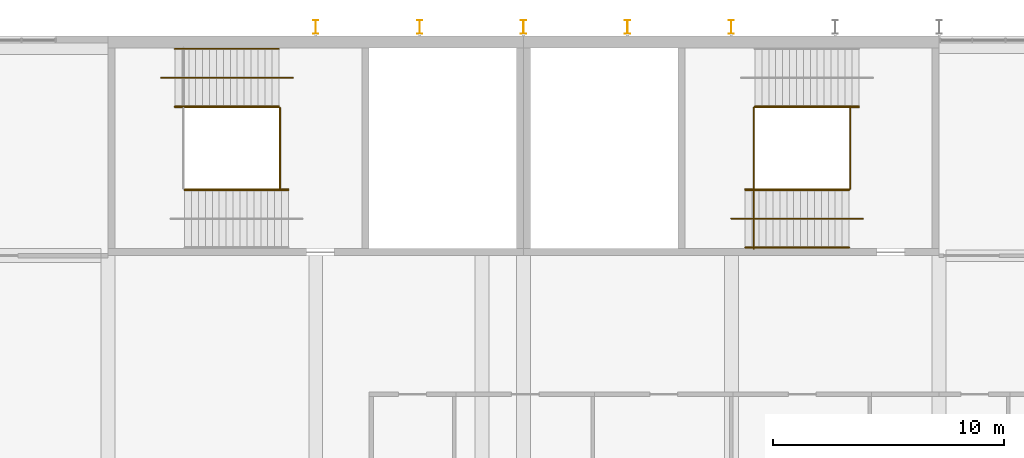
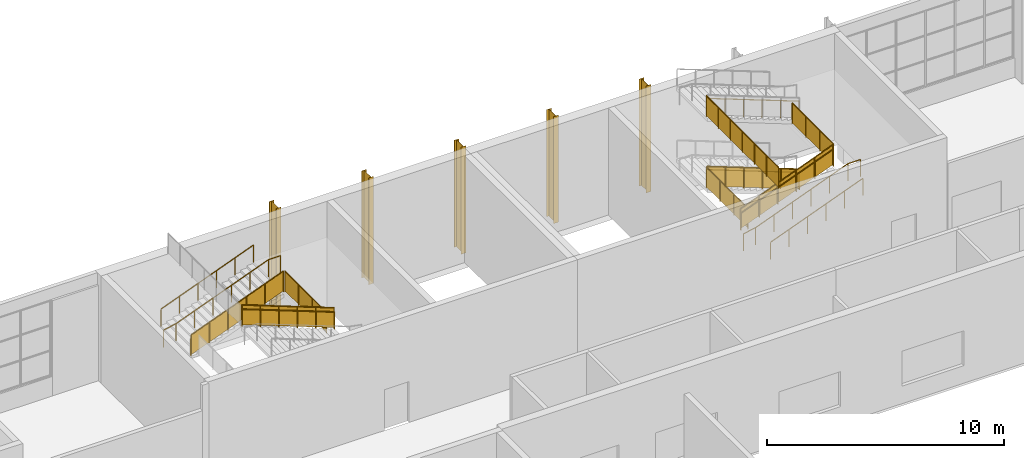
# One storey, part 73 of 84: 17 railings, 5 shading devices.
"""IFC4 building model written with IfcOpenShell, lengths in metres."""

from ifc_helpers import new_model, si_unit, direction, frame, origin, origin_2d, place, context, subcontext, project, spatial, polyline, circle, i_section, outline, extrude, material, material_profile, profile_set, type_object, element, save


model = new_model("IFC4")

# Units and contexts
model_context = context("Model", 3, precision=1e-05, world=origin(), true_north=direction((0.0, 1.0)))
body_context = subcontext(model_context, "Body", "Model", "MODEL_VIEW")
ifc_project = project(units=[si_unit("LENGTHUNIT", "METRE"), si_unit("AREAUNIT", "SQUARE_METRE"), si_unit("VOLUMEUNIT", "CUBIC_METRE"), si_unit("PLANEANGLEUNIT", "RADIAN"), si_unit("MASSUNIT", "GRAM", prefix="KILO")], contexts=[model_context])

# Site, building, storey
site_placement = place(None, origin())
site = spatial("IfcSite", under=ifc_project, at=site_placement, CompositionType="ELEMENT")
building_placement = place(site_placement, origin())
building = spatial("IfcBuilding", under=site, at=building_placement, Name="Silverbay Arena", CompositionType="ELEMENT")
storey_placement = place(building_placement, frame((0.0, 0.0, 28.0)))
storey = spatial("IfcBuildingStorey", under=building, at=storey_placement, Name="L04", CompositionType="ELEMENT", Elevation=28.0)

# Railings
ifc_material_1 = material(Name="Stainless steel", Category="steel")
railing_type_1 = type_object("IfcRailingType", Name="Stair guard 1100", PredefinedType="GUARDRAIL", material=ifc_material_1)
railing_1_placement = place(storey_placement, frame((83.89990234375, 141.425048828125, 1.947998046875)))
element("IfcRailing", 1, at=railing_1_placement, inside=storey, type_object=railing_type_1, Name="Stair ST-N1 L04 to L05 flight 2 guard left", PredefinedType="GUARDRAIL", context=body_context, shape_type="SweptSolid", body=[
    extrude(circle(Radius=0.02392578125, at=origin_2d()), frame((0.0, 0.0, 1.076171875), z_axis=(0.93417907455, 0.0, 0.356804507641), x_axis=(0.0, 1.0, 0.0)), (0.0, 0.0, 1.0), 4.817138671875),
    extrude(outline(polyline([(-0.008056640625, 0.046875), (0.907958984375, 0.396728515625), (0.907958984375, 1.39990234375), (-0.008056640625, 1.050048828125), (-0.008056640625, 0.046875)])), frame((0.0, 0.0029296875, 0.0), z_axis=(0.0, -1.0, 0.0), x_axis=(1.0, 0.0, 0.0)), (0.0, 0.0, 1.0), 0.006103515625),
    extrude(outline(polyline([(-0.008056640625, 0.390625), (0.907958984375, 0.740478515625), (0.907958984375, 1.74365234375), (-0.008056640625, 1.393798828125), (-0.008056640625, 0.390625)])), frame((0.89990234375, 0.0029296875, 0.0), z_axis=(0.0, -1.0, 0.0), x_axis=(1.0, 0.0, 0.0)), (0.0, 0.0, 1.0), 0.006103515625),
    extrude(outline(polyline([(-0.008056640625, 0.734375), (0.907958984375, 1.084228515625), (0.907958984375, 2.08740234375), (-0.008056640625, 1.737548828125), (-0.008056640625, 0.734375)])), frame((1.800048828125, 0.0029296875, 0.0), z_axis=(0.0, -1.0, 0.0), x_axis=(1.0, 0.0, 0.0)), (0.0, 0.0, 1.0), 0.006103515625),
    extrude(outline(polyline([(-0.008056640625, 1.078125), (0.907958984375, 1.427978515625), (0.907958984375, 2.43115234375), (-0.008056640625, 2.081298828125), (-0.008056640625, 1.078125)])), frame((2.699951171875, 0.0029296875, 0.0), z_axis=(0.0, -1.0, 0.0), x_axis=(1.0, 0.0, 0.0)), (0.0, 0.0, 1.0), 0.006103515625),
    extrude(outline(polyline([(-0.008056640625, 1.421875), (0.907958984375, 1.771728515625), (0.907958984375, 2.77490234375), (-0.008056640625, 2.425048828125), (-0.008056640625, 1.421875)])), frame((3.60009765625, 0.0029296875, 0.0), z_axis=(0.0, -1.0, 0.0), x_axis=(1.0, 0.0, 0.0)), (0.0, 0.0, 1.0), 0.006103515625),
    extrude(circle(Radius=0.02099609375, at=origin_2d()), origin(), (0.0, 0.0, 1.0), 1.052001953125),
    extrude(circle(Radius=0.02099609375, at=origin_2d()), frame((0.89990234375, 0.0, 0.34375)), (0.0, 0.0, 1.0), 1.052001953125),
    extrude(circle(Radius=0.02099609375, at=origin_2d()), frame((1.800048828125, 0.0, 0.6875)), (0.0, 0.0, 1.0), 1.052001953125),
    extrude(circle(Radius=0.02099609375, at=origin_2d()), frame((2.699951171875, 0.0, 1.03125)), (0.0, 0.0, 1.0), 1.052001953125),
    extrude(circle(Radius=0.02099609375, at=origin_2d()), frame((3.60009765625, 0.0, 1.375)), (0.0, 0.0, 1.0), 1.052001953125),
    extrude(circle(Radius=0.02099609375, at=origin_2d()), frame((4.5, 0.0, 1.71875)), (0.0, 0.0, 1.0), 1.052001953125),
])
railing_2_placement = place(storey_placement, frame((88.8203125, 137.875, 3.78125)))
element("IfcRailing", 2, at=railing_2_placement, inside=storey, type_object=railing_type_1, Name="Stair ST-N1 L04 to L05 flight 3 guard right", PredefinedType="GUARDRAIL", context=body_context, shape_type="SweptSolid", body=[
    extrude(circle(Radius=0.02392578125, at=origin_2d()), frame((0.0, 0.0, 1.076171875), z_axis=(-0.93417907455, 0.0, 0.356804507641), x_axis=(0.0, -1.0, 0.0)), (0.0, 0.0, 1.0), 4.817138671875),
    extrude(outline(polyline([(-0.008056640625, 0.046875), (0.907958984375, 0.396728515625), (0.907958984375, 1.39990234375), (-0.008056640625, 1.050048828125), (-0.008056640625, 0.046875)])), frame((0.0, -0.0029296875, 0.0), z_axis=(0.0, 1.0, 0.0), x_axis=(-1.0, 0.0, 0.0)), (0.0, 0.0, 1.0), 0.006103515625),
    extrude(outline(polyline([(-0.008056640625, 0.390625), (0.907958984375, 0.740478515625), (0.907958984375, 1.74365234375), (-0.008056640625, 1.393798828125), (-0.008056640625, 0.390625)])), frame((-0.89990234375, -0.0029296875, 0.0), z_axis=(0.0, 1.0, 0.0), x_axis=(-1.0, 0.0, 0.0)), (0.0, 0.0, 1.0), 0.006103515625),
    extrude(outline(polyline([(-0.008056640625, 0.734375), (0.907958984375, 1.084228515625), (0.907958984375, 2.08740234375), (-0.008056640625, 1.737548828125), (-0.008056640625, 0.734375)])), frame((-1.800048828125, -0.0029296875, 0.0), z_axis=(0.0, 1.0, 0.0), x_axis=(-1.0, 0.0, 0.0)), (0.0, 0.0, 1.0), 0.006103515625),
    extrude(outline(polyline([(-0.008056640625, 1.078125), (0.907958984375, 1.427978515625), (0.907958984375, 2.43115234375), (-0.008056640625, 2.081298828125), (-0.008056640625, 1.078125)])), frame((-2.699951171875, -0.0029296875, 0.0), z_axis=(0.0, 1.0, 0.0), x_axis=(-1.0, 0.0, 0.0)), (0.0, 0.0, 1.0), 0.006103515625),
    extrude(outline(polyline([(-0.008056640625, 1.421875), (0.907958984375, 1.771728515625), (0.907958984375, 2.77490234375), (-0.008056640625, 2.425048828125), (-0.008056640625, 1.421875)])), frame((-3.60009765625, -0.0029296875, 0.0), z_axis=(0.0, 1.0, 0.0), x_axis=(-1.0, 0.0, 0.0)), (0.0, 0.0, 1.0), 0.006103515625),
    extrude(circle(Radius=0.02099609375, at=origin_2d()), origin(), (0.0, 0.0, 1.0), 1.052001953125),
    extrude(circle(Radius=0.02099609375, at=origin_2d()), frame((-0.89990234375, 0.0, 0.34375)), (0.0, 0.0, 1.0), 1.052001953125),
    extrude(circle(Radius=0.02099609375, at=origin_2d()), frame((-1.800048828125, 0.0, 0.6875)), (0.0, 0.0, 1.0), 1.052001953125),
    extrude(circle(Radius=0.02099609375, at=origin_2d()), frame((-2.699951171875, 0.0, 1.03125)), (0.0, 0.0, 1.0), 1.052001953125),
    extrude(circle(Radius=0.02099609375, at=origin_2d()), frame((-3.60009765625, 0.0, 1.375)), (0.0, 0.0, 1.0), 1.052001953125),
    extrude(circle(Radius=0.02099609375, at=origin_2d()), frame((-4.5, 0.0, 1.71875)), (0.0, 0.0, 1.0), 1.052001953125),
])
railing_3_placement = place(storey_placement, frame((88.449951171875, 137.89990234375, 3.666748046875)))
element("IfcRailing", 3, at=railing_3_placement, inside=storey, type_object=railing_type_1, Name="Stair ST-N1 L04 to L05 landing 2 guard", PredefinedType="GUARDRAIL", context=body_context, shape_type="SweptSolid", body=[
    extrude(circle(Radius=0.02392578125, at=origin_2d()), frame((0.0, 0.0, 1.076171875), z_axis=(0.0, 1.0, 0.0), x_axis=(-1.0, 0.0, 0.0)), (0.0, 0.0, 1.0), 3.5),
    extrude(outline(polyline([(-0.008056640625, 0.050048828125), (1.174560546875, 0.050048828125), (1.174560546875, 1.052978515625), (-0.008056640625, 1.052978515625), (-0.008056640625, 0.050048828125)])), frame((-0.0029296875, 0.0, 0.0), z_axis=(1.0, 0.0, 0.0), x_axis=(0.0, 1.0, 0.0)), (0.0, 0.0, 1.0), 0.006103515625),
    extrude(outline(polyline([(-0.008056640625, 0.050048828125), (1.174560546875, 0.050048828125), (1.174560546875, 1.052978515625), (-0.008056640625, 1.052978515625), (-0.008056640625, 0.050048828125)])), frame((-0.0029296875, 1.166748046875, 0.0), z_axis=(1.0, 0.0, 0.0), x_axis=(0.0, 1.0, 0.0)), (0.0, 0.0, 1.0), 0.006103515625),
    extrude(outline(polyline([(-0.008056640625, 0.050048828125), (1.174560546875, 0.050048828125), (1.174560546875, 1.052978515625), (-0.008056640625, 1.052978515625), (-0.008056640625, 0.050048828125)])), frame((-0.0029296875, 2.333251953125, 0.0), z_axis=(1.0, 0.0, 0.0), x_axis=(0.0, 1.0, 0.0)), (0.0, 0.0, 1.0), 0.006103515625),
    extrude(circle(Radius=0.02099609375, at=origin_2d()), origin(), (0.0, 0.0, 1.0), 1.052001953125),
    extrude(circle(Radius=0.02099609375, at=origin_2d()), frame((0.0, 1.166748046875, 0.0)), (0.0, 0.0, 1.0), 1.052001953125),
    extrude(circle(Radius=0.02099609375, at=origin_2d()), frame((0.0, 2.333251953125, 0.0)), (0.0, 0.0, 1.0), 1.052001953125),
    extrude(circle(Radius=0.02099609375, at=origin_2d()), frame((0.0, 3.5, 0.0)), (0.0, 0.0, 1.0), 1.052001953125),
])
railing_4_placement = place(storey_placement, frame((113.5205078125, 141.425048828125, 0.114501953125)))
element("IfcRailing", 4, at=railing_4_placement, inside=storey, type_object=railing_type_1, Name="Stair ST-N2 L04 to L05 flight 1 guard left", PredefinedType="GUARDRAIL", context=body_context, shape_type="SweptSolid", body=[
    extrude(circle(Radius=0.02392578125, at=origin_2d()), frame((0.0, 0.0, 1.076171875), z_axis=(-0.93417907455, 0.0, 0.356804507641), x_axis=(0.0, -1.0, 0.0)), (0.0, 0.0, 1.0), 4.817138671875),
    extrude(outline(polyline([(-0.008056640625, 0.046875), (0.907958984375, 0.396728515625), (0.907958984375, 1.39990234375), (-0.008056640625, 1.050048828125), (-0.008056640625, 0.046875)])), frame((0.0, -0.0029296875, 0.0), z_axis=(0.0, 1.0, 0.0), x_axis=(-1.0, 0.0, 0.0)), (0.0, 0.0, 1.0), 0.006103515625),
    extrude(outline(polyline([(-0.008056640625, 0.390625), (0.907958984375, 0.740478515625), (0.907958984375, 1.74365234375), (-0.008056640625, 1.393798828125), (-0.008056640625, 0.390625)])), frame((-0.89990234375, -0.0029296875, 0.0), z_axis=(0.0, 1.0, 0.0), x_axis=(-1.0, 0.0, 0.0)), (0.0, 0.0, 1.0), 0.006103515625),
    extrude(outline(polyline([(-0.008056640625, 0.734375), (0.907958984375, 1.084228515625), (0.907958984375, 2.08740234375), (-0.008056640625, 1.737548828125), (-0.008056640625, 0.734375)])), frame((-1.800048828125, -0.0029296875, 0.0), z_axis=(0.0, 1.0, 0.0), x_axis=(-1.0, 0.0, 0.0)), (0.0, 0.0, 1.0), 0.006103515625),
    extrude(outline(polyline([(-0.008056640625, 1.078125), (0.907958984375, 1.427978515625), (0.907958984375, 2.43115234375), (-0.008056640625, 2.081298828125), (-0.008056640625, 1.078125)])), frame((-2.699951171875, -0.0029296875, 0.0), z_axis=(0.0, 1.0, 0.0), x_axis=(-1.0, 0.0, 0.0)), (0.0, 0.0, 1.0), 0.006103515625),
    extrude(outline(polyline([(-0.008056640625, 1.421875), (0.907958984375, 1.771728515625), (0.907958984375, 2.77490234375), (-0.008056640625, 2.425048828125), (-0.008056640625, 1.421875)])), frame((-3.60009765625, -0.0029296875, 0.0), z_axis=(0.0, 1.0, 0.0), x_axis=(-1.0, 0.0, 0.0)), (0.0, 0.0, 1.0), 0.006103515625),
    extrude(circle(Radius=0.02099609375, at=origin_2d()), origin(), (0.0, 0.0, 1.0), 1.052001953125),
    extrude(circle(Radius=0.02099609375, at=origin_2d()), frame((-0.89990234375, 0.0, 0.34375)), (0.0, 0.0, 1.0), 1.052001953125),
    extrude(circle(Radius=0.02099609375, at=origin_2d()), frame((-1.800048828125, 0.0, 0.6875)), (0.0, 0.0, 1.0), 1.052001953125),
    extrude(circle(Radius=0.02099609375, at=origin_2d()), frame((-2.699951171875, 0.0, 1.03125)), (0.0, 0.0, 1.0), 1.052001953125),
    extrude(circle(Radius=0.02099609375, at=origin_2d()), frame((-3.60009765625, 0.0, 1.375)), (0.0, 0.0, 1.0), 1.052001953125),
    extrude(circle(Radius=0.02099609375, at=origin_2d()), frame((-4.5, 0.0, 1.71875)), (0.0, 0.0, 1.0), 1.052001953125),
])
railing_5_placement = place(storey_placement, frame((108.60009765625, 137.875, 1.947998046875)))
element("IfcRailing", 5, at=railing_5_placement, inside=storey, type_object=railing_type_1, Name="Stair ST-N2 L04 to L05 flight 2 guard right", PredefinedType="GUARDRAIL", context=body_context, shape_type="SweptSolid", body=[
    extrude(circle(Radius=0.02392578125, at=origin_2d()), frame((0.0, 0.0, 1.076171875), z_axis=(0.93417907455, 0.0, 0.356804507641), x_axis=(0.0, 1.0, 0.0)), (0.0, 0.0, 1.0), 4.817138671875),
    extrude(outline(polyline([(-0.008056640625, 0.046875), (0.907958984375, 0.396728515625), (0.907958984375, 1.39990234375), (-0.008056640625, 1.050048828125), (-0.008056640625, 0.046875)])), frame((0.0, 0.0029296875, 0.0), z_axis=(0.0, -1.0, 0.0), x_axis=(1.0, 0.0, 0.0)), (0.0, 0.0, 1.0), 0.006103515625),
    extrude(outline(polyline([(-0.008056640625, 0.390625), (0.907958984375, 0.740478515625), (0.907958984375, 1.74365234375), (-0.008056640625, 1.393798828125), (-0.008056640625, 0.390625)])), frame((0.89990234375, 0.0029296875, 0.0), z_axis=(0.0, -1.0, 0.0), x_axis=(1.0, 0.0, 0.0)), (0.0, 0.0, 1.0), 0.006103515625),
    extrude(outline(polyline([(-0.008056640625, 0.734375), (0.907958984375, 1.084228515625), (0.907958984375, 2.08740234375), (-0.008056640625, 1.737548828125), (-0.008056640625, 0.734375)])), frame((1.800048828125, 0.0029296875, 0.0), z_axis=(0.0, -1.0, 0.0), x_axis=(1.0, 0.0, 0.0)), (0.0, 0.0, 1.0), 0.006103515625),
    extrude(outline(polyline([(-0.008056640625, 1.078125), (0.907958984375, 1.427978515625), (0.907958984375, 2.43115234375), (-0.008056640625, 2.081298828125), (-0.008056640625, 1.078125)])), frame((2.699951171875, 0.0029296875, 0.0), z_axis=(0.0, -1.0, 0.0), x_axis=(1.0, 0.0, 0.0)), (0.0, 0.0, 1.0), 0.006103515625),
    extrude(outline(polyline([(-0.008056640625, 1.421875), (0.907958984375, 1.771728515625), (0.907958984375, 2.77490234375), (-0.008056640625, 2.425048828125), (-0.008056640625, 1.421875)])), frame((3.60009765625, 0.0029296875, 0.0), z_axis=(0.0, -1.0, 0.0), x_axis=(1.0, 0.0, 0.0)), (0.0, 0.0, 1.0), 0.006103515625),
    extrude(circle(Radius=0.02099609375, at=origin_2d()), origin(), (0.0, 0.0, 1.0), 1.052001953125),
    extrude(circle(Radius=0.02099609375, at=origin_2d()), frame((0.89990234375, 0.0, 0.34375)), (0.0, 0.0, 1.0), 1.052001953125),
    extrude(circle(Radius=0.02099609375, at=origin_2d()), frame((1.800048828125, 0.0, 0.6875)), (0.0, 0.0, 1.0), 1.052001953125),
    extrude(circle(Radius=0.02099609375, at=origin_2d()), frame((2.699951171875, 0.0, 1.03125)), (0.0, 0.0, 1.0), 1.052001953125),
    extrude(circle(Radius=0.02099609375, at=origin_2d()), frame((3.60009765625, 0.0, 1.375)), (0.0, 0.0, 1.0), 1.052001953125),
    extrude(circle(Radius=0.02099609375, at=origin_2d()), frame((4.5, 0.0, 1.71875)), (0.0, 0.0, 1.0), 1.052001953125),
])
for number, where, name in (
    (6, (108.970458984375, 137.89990234375, 1.833251953125), "Stair ST-N2 L04 to L05 landing 1 guard"),
    (7, (113.14990234375, 137.89990234375, 3.666748046875), "Stair ST-N2 L04 to L05 landing 2 guard"),
):
    element("IfcRailing", number, at=place(storey_placement, frame(where)), inside=storey, type_object=railing_type_1, Name=name, PredefinedType="GUARDRAIL", context=body_context, shape_type="SweptSolid", body=[
        extrude(circle(Radius=0.02392578125, at=origin_2d()), frame((0.0, 0.0, 1.076171875), z_axis=(0.0, 1.0, 0.0), x_axis=(-1.0, 0.0, 0.0)), (0.0, 0.0, 1.0), 3.5),
        extrude(outline(polyline([(-0.008056640625, 0.050048828125), (1.174560546875, 0.050048828125), (1.174560546875, 1.052978515625), (-0.008056640625, 1.052978515625), (-0.008056640625, 0.050048828125)])), frame((-0.0029296875, 0.0, 0.0), z_axis=(1.0, 0.0, 0.0), x_axis=(0.0, 1.0, 0.0)), (0.0, 0.0, 1.0), 0.006103515625),
        extrude(outline(polyline([(-0.008056640625, 0.050048828125), (1.174560546875, 0.050048828125), (1.174560546875, 1.052978515625), (-0.008056640625, 1.052978515625), (-0.008056640625, 0.050048828125)])), frame((-0.0029296875, 1.166748046875, 0.0), z_axis=(1.0, 0.0, 0.0), x_axis=(0.0, 1.0, 0.0)), (0.0, 0.0, 1.0), 0.006103515625),
        extrude(outline(polyline([(-0.008056640625, 0.050048828125), (1.174560546875, 0.050048828125), (1.174560546875, 1.052978515625), (-0.008056640625, 1.052978515625), (-0.008056640625, 0.050048828125)])), frame((-0.0029296875, 2.333251953125, 0.0), z_axis=(1.0, 0.0, 0.0), x_axis=(0.0, 1.0, 0.0)), (0.0, 0.0, 1.0), 0.006103515625),
        extrude(circle(Radius=0.02099609375, at=origin_2d()), origin(), (0.0, 0.0, 1.0), 1.052001953125),
        extrude(circle(Radius=0.02099609375, at=origin_2d()), frame((0.0, 1.166748046875, 0.0)), (0.0, 0.0, 1.0), 1.052001953125),
        extrude(circle(Radius=0.02099609375, at=origin_2d()), frame((0.0, 2.333251953125, 0.0)), (0.0, 0.0, 1.0), 1.052001953125),
        extrude(circle(Radius=0.02099609375, at=origin_2d()), frame((0.0, 3.5, 0.0)), (0.0, 0.0, 1.0), 1.052001953125),
    ])
railing_6_placement = place(storey_placement, frame((108.970458984375, 141.39990234375, 5.5)))
element("IfcRailing", 8, at=railing_6_placement, inside=storey, type_object=railing_type_1, Name="Stair ST-N2 L04 to L05 landing 3 guard", PredefinedType="GUARDRAIL", context=body_context, shape_type="SweptSolid", body=[
    extrude(circle(Radius=0.02392578125, at=origin_2d()), frame((0.0, 0.0, 1.076171875), z_axis=(0.0, -1.0, 0.0), x_axis=(1.0, 0.0, 0.0)), (0.0, 0.0, 1.0), 6.099853515625),
    extrude(outline(polyline([(-0.008056640625, 0.050048828125), (1.024658203125, 0.050048828125), (1.024658203125, 1.052978515625), (-0.008056640625, 1.052978515625), (-0.008056640625, 0.050048828125)])), frame((0.0029296875, 0.0, 0.0), z_axis=(-1.0, 0.0, 0.0), x_axis=(0.0, -1.0, 0.0)), (0.0, 0.0, 1.0), 0.006103515625),
    extrude(outline(polyline([(-0.008056640625, 0.050048828125), (1.024658203125, 0.050048828125), (1.024658203125, 1.052978515625), (-0.008056640625, 1.052978515625), (-0.008056640625, 0.050048828125)])), frame((0.0029296875, -1.0166015625, 0.0), z_axis=(-1.0, 0.0, 0.0), x_axis=(0.0, -1.0, 0.0)), (0.0, 0.0, 1.0), 0.006103515625),
    extrude(outline(polyline([(-0.008056640625, 0.050048828125), (1.024658203125, 0.050048828125), (1.024658203125, 1.052978515625), (-0.008056640625, 1.052978515625), (-0.008056640625, 0.050048828125)])), frame((0.0029296875, -2.033203125, 0.0), z_axis=(-1.0, 0.0, 0.0), x_axis=(0.0, -1.0, 0.0)), (0.0, 0.0, 1.0), 0.006103515625),
    extrude(outline(polyline([(-0.008056640625, 0.050048828125), (1.024658203125, 0.050048828125), (1.024658203125, 1.052978515625), (-0.008056640625, 1.052978515625), (-0.008056640625, 0.050048828125)])), frame((0.0029296875, -3.0498046875, 0.0), z_axis=(-1.0, 0.0, 0.0), x_axis=(0.0, -1.0, 0.0)), (0.0, 0.0, 1.0), 0.006103515625),
    extrude(outline(polyline([(-0.008056640625, 0.050048828125), (1.024658203125, 0.050048828125), (1.024658203125, 1.052978515625), (-0.008056640625, 1.052978515625), (-0.008056640625, 0.050048828125)])), frame((0.0029296875, -4.066650390625, 0.0), z_axis=(-1.0, 0.0, 0.0), x_axis=(0.0, -1.0, 0.0)), (0.0, 0.0, 1.0), 0.006103515625),
    extrude(outline(polyline([(-0.008056640625, 0.050048828125), (1.024658203125, 0.050048828125), (1.024658203125, 1.052978515625), (-0.008056640625, 1.052978515625), (-0.008056640625, 0.050048828125)])), frame((0.0029296875, -5.083251953125, 0.0), z_axis=(-1.0, 0.0, 0.0), x_axis=(0.0, -1.0, 0.0)), (0.0, 0.0, 1.0), 0.006103515625),
    extrude(circle(Radius=0.02099609375, at=origin_2d()), origin(), (0.0, 0.0, 1.0), 1.052001953125),
    extrude(circle(Radius=0.02099609375, at=origin_2d()), frame((0.0, -1.0166015625, 0.0)), (0.0, 0.0, 1.0), 1.052001953125),
    extrude(circle(Radius=0.02099609375, at=origin_2d()), frame((0.0, -2.033203125, 0.0)), (0.0, 0.0, 1.0), 1.052001953125),
    extrude(circle(Radius=0.02099609375, at=origin_2d()), frame((0.0, -3.0498046875, 0.0)), (0.0, 0.0, 1.0), 1.052001953125),
    extrude(circle(Radius=0.02099609375, at=origin_2d()), frame((0.0, -4.066650390625, 0.0)), (0.0, 0.0, 1.0), 1.052001953125),
    extrude(circle(Radius=0.02099609375, at=origin_2d()), frame((0.0, -5.083251953125, 0.0)), (0.0, 0.0, 1.0), 1.052001953125),
    extrude(circle(Radius=0.02099609375, at=origin_2d()), frame((0.0, -6.099853515625, 0.0)), (0.0, 0.0, 1.0), 1.052001953125),
])
ifc_material_2 = material(Name="Stainless steel", Category="steel")
railing_type_2 = type_object("IfcRailingType", Name="Stair handrail 900", PredefinedType="HANDRAIL", material=ifc_material_2)
for number, where, name in (
    (9, (83.89990234375, 141.464111328125, 1.947998046875), "Stair ST-N1 L04 to L05 flight 2 handrail left"),
    (10, (83.89990234375, 143.949951171875, 1.947998046875), "Stair ST-N1 L04 to L05 flight 2 handrail right"),
):
    element("IfcRailing", number, at=place(storey_placement, frame(where)), inside=storey, type_object=railing_type_2, Name=name, PredefinedType="HANDRAIL", context=body_context, shape_type="SweptSolid", body=[
        extrude(circle(Radius=0.02392578125, at=origin_2d()), frame((0.0, 0.0, 0.8759765625), z_axis=(0.93417907455, 0.0, 0.356804507641), x_axis=(0.0, 1.0, 0.0)), (0.0, 0.0, 1.0), 4.817138671875),
        extrude(circle(Radius=0.02099609375, at=origin_2d()), origin(), (0.0, 0.0, 1.0), 0.851806640625),
        extrude(circle(Radius=0.02099609375, at=origin_2d()), frame((0.89990234375, 0.0, 0.34375)), (0.0, 0.0, 1.0), 0.851806640625),
        extrude(circle(Radius=0.02099609375, at=origin_2d()), frame((1.800048828125, 0.0, 0.6875)), (0.0, 0.0, 1.0), 0.851806640625),
        extrude(circle(Radius=0.02099609375, at=origin_2d()), frame((2.699951171875, 0.0, 1.03125)), (0.0, 0.0, 1.0), 0.851806640625),
        extrude(circle(Radius=0.02099609375, at=origin_2d()), frame((3.60009765625, 0.0, 1.375)), (0.0, 0.0, 1.0), 0.851806640625),
        extrude(circle(Radius=0.02099609375, at=origin_2d()), frame((4.5, 0.0, 1.71875)), (0.0, 0.0, 1.0), 0.851806640625),
    ])
railing_7_placement = place(storey_placement, frame((83.300048828125, 142.699951171875, 1.833251953125)))
element("IfcRailing", 11, at=railing_7_placement, inside=storey, type_object=railing_type_2, Name="Stair ST-N1 L04 to L05 flight 2 central handrail", PredefinedType="HANDRAIL", context=body_context, shape_type="SweptSolid", body=[
    extrude(circle(Radius=0.02392578125, at=origin_2d()), frame((0.0, 0.0, 0.8759765625), z_axis=(0.982191308576, 0.0, 0.187883563301), x_axis=(0.0, 1.0, 0.0)), (0.0, 0.0, 1.0), 0.61083984375),
    extrude(circle(Radius=0.02392578125, at=origin_2d()), frame((0.599853515625, 0.0, 0.99072265625), z_axis=(0.93417907455, 0.0, 0.356804507641), x_axis=(0.0, 1.0, 0.0)), (0.0, 0.0, 1.0), 4.817138671875),
    extrude(circle(Radius=0.02392578125, at=origin_2d()), frame((5.099853515625, 0.0, 2.70947265625), z_axis=(1.0, 0.0, 0.0), x_axis=(0.0, 1.0, 0.0)), (0.0, 0.0, 1.0), 0.60009765625),
    extrude(circle(Radius=0.02099609375, at=origin_2d()), origin(), (0.0, 0.0, 1.0), 0.851806640625),
    extrude(circle(Radius=0.02099609375, at=origin_2d()), frame((0.599853515625, 0.0, 0.11474609375)), (0.0, 0.0, 1.0), 0.851806640625),
    extrude(circle(Radius=0.02099609375, at=origin_2d()), frame((1.499755859375, 0.0, 0.45849609375)), (0.0, 0.0, 1.0), 0.851806640625),
    extrude(circle(Radius=0.02099609375, at=origin_2d()), frame((2.39990234375, 0.0, 0.80224609375)), (0.0, 0.0, 1.0), 0.851806640625),
    extrude(circle(Radius=0.02099609375, at=origin_2d()), frame((3.2998046875, 0.0, 1.14599609375)), (0.0, 0.0, 1.0), 0.851806640625),
    extrude(circle(Radius=0.02099609375, at=origin_2d()), frame((4.199951171875, 0.0, 1.48974609375)), (0.0, 0.0, 1.0), 0.851806640625),
    extrude(circle(Radius=0.02099609375, at=origin_2d()), frame((5.099853515625, 0.0, 1.83349609375)), (0.0, 0.0, 1.0), 0.851806640625),
    extrude(circle(Radius=0.02099609375, at=origin_2d()), frame((5.699951171875, 0.0, 1.83349609375)), (0.0, 0.0, 1.0), 0.851806640625),
])
for number, where, name in (
    (12, (88.8203125, 137.8359375, 3.78125), "Stair ST-N1 L04 to L05 flight 3 handrail right"),
    (13, (113.5205078125, 141.464111328125, 0.114501953125), "Stair ST-N2 L04 to L05 flight 1 handrail left"),
):
    element("IfcRailing", number, at=place(storey_placement, frame(where)), inside=storey, type_object=railing_type_2, Name=name, PredefinedType="HANDRAIL", context=body_context, shape_type="SweptSolid", body=[
        extrude(circle(Radius=0.02392578125, at=origin_2d()), frame((0.0, 0.0, 0.8759765625), z_axis=(-0.93417907455, 0.0, 0.356804507641), x_axis=(0.0, -1.0, 0.0)), (0.0, 0.0, 1.0), 4.817138671875),
        extrude(circle(Radius=0.02099609375, at=origin_2d()), origin(), (0.0, 0.0, 1.0), 0.851806640625),
        extrude(circle(Radius=0.02099609375, at=origin_2d()), frame((-0.89990234375, 0.0, 0.34375)), (0.0, 0.0, 1.0), 0.851806640625),
        extrude(circle(Radius=0.02099609375, at=origin_2d()), frame((-1.800048828125, 0.0, 0.6875)), (0.0, 0.0, 1.0), 0.851806640625),
        extrude(circle(Radius=0.02099609375, at=origin_2d()), frame((-2.699951171875, 0.0, 1.03125)), (0.0, 0.0, 1.0), 0.851806640625),
        extrude(circle(Radius=0.02099609375, at=origin_2d()), frame((-3.60009765625, 0.0, 1.375)), (0.0, 0.0, 1.0), 0.851806640625),
        extrude(circle(Radius=0.02099609375, at=origin_2d()), frame((-4.5, 0.0, 1.71875)), (0.0, 0.0, 1.0), 0.851806640625),
    ])
for number, where, name in (
    (14, (108.60009765625, 135.35009765625, 1.947998046875), "Stair ST-N2 L04 to L05 flight 2 handrail left"),
    (15, (108.60009765625, 137.8359375, 1.947998046875), "Stair ST-N2 L04 to L05 flight 2 handrail right"),
):
    element("IfcRailing", number, at=place(storey_placement, frame(where)), inside=storey, type_object=railing_type_2, Name=name, PredefinedType="HANDRAIL", context=body_context, shape_type="SweptSolid", body=[
        extrude(circle(Radius=0.02392578125, at=origin_2d()), frame((0.0, 0.0, 0.8759765625), z_axis=(0.93417907455, 0.0, 0.356804507641), x_axis=(0.0, 1.0, 0.0)), (0.0, 0.0, 1.0), 4.817138671875),
        extrude(circle(Radius=0.02099609375, at=origin_2d()), origin(), (0.0, 0.0, 1.0), 0.851806640625),
        extrude(circle(Radius=0.02099609375, at=origin_2d()), frame((0.89990234375, 0.0, 0.34375)), (0.0, 0.0, 1.0), 0.851806640625),
        extrude(circle(Radius=0.02099609375, at=origin_2d()), frame((1.800048828125, 0.0, 0.6875)), (0.0, 0.0, 1.0), 0.851806640625),
        extrude(circle(Radius=0.02099609375, at=origin_2d()), frame((2.699951171875, 0.0, 1.03125)), (0.0, 0.0, 1.0), 0.851806640625),
        extrude(circle(Radius=0.02099609375, at=origin_2d()), frame((3.60009765625, 0.0, 1.375)), (0.0, 0.0, 1.0), 0.851806640625),
        extrude(circle(Radius=0.02099609375, at=origin_2d()), frame((4.5, 0.0, 1.71875)), (0.0, 0.0, 1.0), 0.851806640625),
    ])
railing_8_placement = place(storey_placement, frame((108.0, 136.60009765625, 1.833251953125)))
element("IfcRailing", 16, at=railing_8_placement, inside=storey, type_object=railing_type_2, Name="Stair ST-N2 L04 to L05 flight 2 central handrail", PredefinedType="HANDRAIL", context=body_context, shape_type="SweptSolid", body=[
    extrude(circle(Radius=0.02392578125, at=origin_2d()), frame((0.0, 0.0, 0.8759765625), z_axis=(0.982205411617, 0.0, 0.1878098224), x_axis=(0.0, 1.0, 0.0)), (0.0, 0.0, 1.0), 0.611083984375),
    extrude(circle(Radius=0.02392578125, at=origin_2d()), frame((0.60009765625, 0.0, 0.99072265625), z_axis=(0.93417907455, 0.0, 0.356804507641), x_axis=(0.0, 1.0, 0.0)), (0.0, 0.0, 1.0), 4.817138671875),
    extrude(circle(Radius=0.02392578125, at=origin_2d()), frame((5.10009765625, 0.0, 2.70947265625), z_axis=(1.0, 0.0, 0.0), x_axis=(0.0, 1.0, 0.0)), (0.0, 0.0, 1.0), 0.599853515625),
    extrude(circle(Radius=0.02099609375, at=origin_2d()), origin(), (0.0, 0.0, 1.0), 0.851806640625),
    extrude(circle(Radius=0.02099609375, at=origin_2d()), frame((0.60009765625, 0.0, 0.11474609375)), (0.0, 0.0, 1.0), 0.851806640625),
    extrude(circle(Radius=0.02099609375, at=origin_2d()), frame((1.5, 0.0, 0.45849609375)), (0.0, 0.0, 1.0), 0.851806640625),
    extrude(circle(Radius=0.02099609375, at=origin_2d()), frame((2.400146484375, 0.0, 0.80224609375)), (0.0, 0.0, 1.0), 0.851806640625),
    extrude(circle(Radius=0.02099609375, at=origin_2d()), frame((3.300048828125, 0.0, 1.14599609375)), (0.0, 0.0, 1.0), 0.851806640625),
    extrude(circle(Radius=0.02099609375, at=origin_2d()), frame((4.2001953125, 0.0, 1.48974609375)), (0.0, 0.0, 1.0), 0.851806640625),
    extrude(circle(Radius=0.02099609375, at=origin_2d()), frame((5.10009765625, 0.0, 1.83349609375)), (0.0, 0.0, 1.0), 0.851806640625),
    extrude(circle(Radius=0.02099609375, at=origin_2d()), frame((5.699951171875, 0.0, 1.83349609375)), (0.0, 0.0, 1.0), 0.851806640625),
])
railing_9_placement = place(storey_placement, frame((113.5205078125, 141.464111328125, 3.78125)))
element("IfcRailing", 17, at=railing_9_placement, inside=storey, type_object=railing_type_2, Name="Stair ST-N2 L04 to L05 flight 3 handrail left", PredefinedType="HANDRAIL", context=body_context, shape_type="SweptSolid", body=[
    extrude(circle(Radius=0.02392578125, at=origin_2d()), frame((0.0, 0.0, 0.8759765625), z_axis=(-0.93417907455, 0.0, 0.356804507641), x_axis=(0.0, -1.0, 0.0)), (0.0, 0.0, 1.0), 4.817138671875),
    extrude(circle(Radius=0.02099609375, at=origin_2d()), origin(), (0.0, 0.0, 1.0), 0.851806640625),
    extrude(circle(Radius=0.02099609375, at=origin_2d()), frame((-0.89990234375, 0.0, 0.34375)), (0.0, 0.0, 1.0), 0.851806640625),
    extrude(circle(Radius=0.02099609375, at=origin_2d()), frame((-1.800048828125, 0.0, 0.6875)), (0.0, 0.0, 1.0), 0.851806640625),
    extrude(circle(Radius=0.02099609375, at=origin_2d()), frame((-2.699951171875, 0.0, 1.03125)), (0.0, 0.0, 1.0), 0.851806640625),
    extrude(circle(Radius=0.02099609375, at=origin_2d()), frame((-3.60009765625, 0.0, 1.375)), (0.0, 0.0, 1.0), 0.851806640625),
    extrude(circle(Radius=0.02099609375, at=origin_2d()), frame((-4.5, 0.0, 1.71875)), (0.0, 0.0, 1.0), 0.851806640625),
])

# Shading devices
ifc_material_3 = material(Name="Steel S355", Category="steel")
ifc_material_profile = material_profile(ifc_material_3, i_section(OverallWidth=0.2275390625, OverallDepth=0.6025390625, WebThickness=0.010498046875, FlangeThickness=0.014892578125, at=origin_2d()), Name="UB 610x229x101")
ifc_profile_set = profile_set([ifc_material_profile], Name="Steel S355")
shading_device_type = type_object("IfcShadingDeviceType", Name="Steel fin UB 610x229x101", PredefinedType="USERDEFINED", material=ifc_profile_set)
for number, where, z_axis, x_axis, name in (
    (18, (90.0, 144.9013671875, 0.0), (0.0, 0.0, 1.0), (1.0, 0.0, 0.0), "Steel fin N L04 8"),
    (19, (94.5, 144.9013671875, 0.0), (0.0, 0.0, 1.0), (1.0, 0.0, 0.0), "Steel fin N L04 9"),
    (20, (99.0, 144.9013671875, 0.0), (0.0, 0.0, 1.0), (1.0, 0.0, 0.0), "Steel fin N L04 10"),
    (21, (103.5, 144.9013671875, 0.0), (0.0, 0.0, 1.0), (1.0, 0.0, 0.0), "Steel fin N L04 11"),
    (22, (108.0, 144.9013671875, 0.0), (0.0, 0.0, 1.0), (1.0, 0.0, 0.0), "Steel fin N L04 12"),
):
    element("IfcShadingDevice", number, at=place(storey_placement, frame(where, z_axis=z_axis, x_axis=x_axis)), inside=storey, type_object=shading_device_type, Name=name, ObjectType="FIN", PredefinedType="USERDEFINED", context=body_context, shape_type="SweptSolid", body=[
        extrude(i_section(OverallWidth=0.2275390625, OverallDepth=0.6025390625, WebThickness=0.010498046875, FlangeThickness=0.014892578125, at=origin_2d()), origin(), (0.0, 0.0, 1.0), 5.5),
    ])

save(model, "model.ifc")
